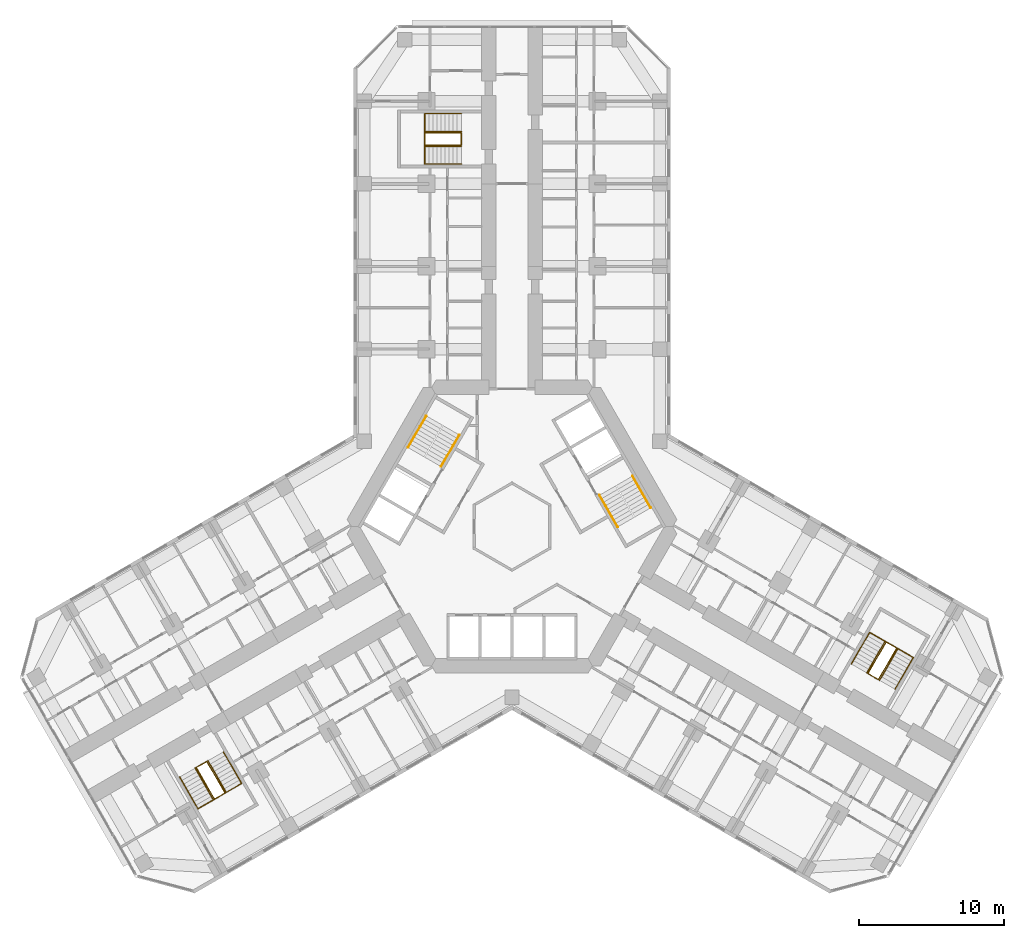
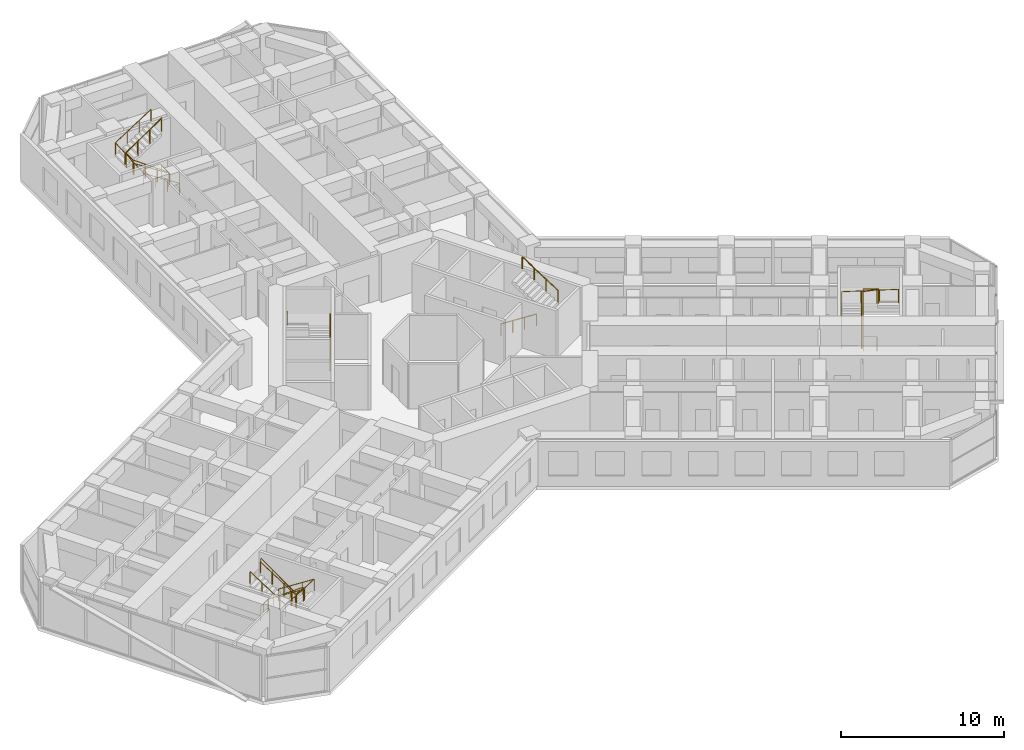
# One storey, part 21 of 21: 13 railings.
"""IFC4 building model written with IfcOpenShell, lengths in metres."""

from ifc_helpers import new_model, si_unit, direction, frame, origin, origin_2d, place, context, subcontext, project, spatial, circle, extrude, material, type_object, element, save


model = new_model("IFC4")

# Units and contexts
model_context = context("Model", 3, precision=1e-05, world=origin(), true_north=direction((0.0, 1.0)))
body_context = subcontext(model_context, "Body", "Model", "MODEL_VIEW")
ifc_project = project(units=[si_unit("LENGTHUNIT", "METRE"), si_unit("AREAUNIT", "SQUARE_METRE"), si_unit("VOLUMEUNIT", "CUBIC_METRE"), si_unit("PLANEANGLEUNIT", "RADIAN"), si_unit("MASSUNIT", "GRAM", prefix="KILO")], contexts=[model_context])

# Site, building, storey
site_placement = place(None, origin())
site = spatial("IfcSite", under=ifc_project, at=site_placement, CompositionType="ELEMENT")
building_placement = place(site_placement, origin())
building = spatial("IfcBuilding", under=site, at=building_placement, Name="Kosmar Iwan School Tower", CompositionType="ELEMENT")
storey_placement = place(building_placement, frame((0.0, 0.0, 50.199951171875)))
storey = spatial("IfcBuildingStorey", under=building, at=storey_placement, Name="L11", CompositionType="ELEMENT", Elevation=50.199951171875)

# Railings
ifc_material_1 = material(Name="Black steel", Category="steel")
railing_type_1 = type_object("IfcRailingType", Name="Stair handrail 900", PredefinedType="HANDRAIL", material=ifc_material_1)
railing_1_placement = place(storey_placement, frame((-4.89453125, 4.142333984375, 0.179931640625)))
element("IfcRailing", 1, at=railing_1_placement, inside=storey, type_object=railing_type_1, Name="Handrail ST2 flight 1", PredefinedType="HANDRAIL", context=body_context, shape_type="SweptSolid", body=[
    extrude(circle(Radius=0.02392578125, at=origin_2d()), frame((0.0, 0.0, 0.8759765625), z_axis=(0.420584145978, 0.728463801763, 0.540785970299), x_axis=(-0.866022637375, 0.500004791531, 0.0)), (0.0, 0.0, 1.0), 2.995849609375),
    extrude(circle(Radius=0.02099609375, at=origin_2d()), origin(), (0.0, 0.0, 1.0), 0.851806640625),
    extrude(circle(Radius=0.02099609375, at=origin_2d()), frame((0.419921875, 0.7275390625, 0.5400390625)), (0.0, 0.0, 1.0), 0.851806640625),
    extrude(circle(Radius=0.02099609375, at=origin_2d()), frame((0.840087890625, 1.454833984375, 1.080078125)), (0.0, 0.0, 1.0), 0.851806640625),
    extrude(circle(Radius=0.02099609375, at=origin_2d()), frame((1.260009765625, 2.182373046875, 1.6201171875)), (0.0, 0.0, 1.0), 0.851806640625),
])
railing_2_placement = place(storey_placement, frame((-5.912353515625, 7.6396484375, 1.97998046875)))
element("IfcRailing", 2, at=railing_2_placement, inside=storey, type_object=railing_type_1, Name="Handrail ST2 flight 2", PredefinedType="HANDRAIL", context=body_context, shape_type="SweptSolid", body=[
    extrude(circle(Radius=0.02392578125, at=origin_2d()), frame((0.0, 0.0, 0.8759765625), z_axis=(-0.420584145978, -0.728463801763, 0.540785970299), x_axis=(0.866022637375, -0.500004791531, 0.0)), (0.0, 0.0, 1.0), 2.995849609375),
    extrude(circle(Radius=0.02099609375, at=origin_2d()), origin(), (0.0, 0.0, 1.0), 0.851806640625),
    extrude(circle(Radius=0.02099609375, at=origin_2d()), frame((-0.419921875, -0.7275390625, 0.5400390625)), (0.0, 0.0, 1.0), 0.851806640625),
    extrude(circle(Radius=0.02099609375, at=origin_2d()), frame((-0.840087890625, -1.454833984375, 1.080078125)), (0.0, 0.0, 1.0), 0.851806640625),
    extrude(circle(Radius=0.02099609375, at=origin_2d()), frame((-1.260009765625, -2.182373046875, 1.6201171875)), (0.0, 0.0, 1.0), 0.851806640625),
])
railing_3_placement = place(storey_placement, frame((6.03466796875, 2.167724609375, 0.179931640625)))
element("IfcRailing", 3, at=railing_3_placement, inside=storey, type_object=railing_type_1, Name="Handrail ST1 flight 1", PredefinedType="HANDRAIL", context=body_context, shape_type="SweptSolid", body=[
    extrude(circle(Radius=0.02392578125, at=origin_2d()), frame((0.0, 0.0, 0.8759765625), z_axis=(0.420584145978, -0.728463801763, 0.540785970299), x_axis=(0.866022637375, 0.500004791531, 0.0)), (0.0, 0.0, 1.0), 2.995849609375),
    extrude(circle(Radius=0.02099609375, at=origin_2d()), origin(), (0.0, 0.0, 1.0), 0.851806640625),
    extrude(circle(Radius=0.02099609375, at=origin_2d()), frame((0.419921875, -0.7275390625, 0.5400390625)), (0.0, 0.0, 1.0), 0.851806640625),
    extrude(circle(Radius=0.02099609375, at=origin_2d()), frame((0.840087890625, -1.454833984375, 1.080078125)), (0.0, 0.0, 1.0), 0.851806640625),
    extrude(circle(Radius=0.02099609375, at=origin_2d()), frame((1.260009765625, -2.182373046875, 1.6201171875)), (0.0, 0.0, 1.0), 0.851806640625),
])
railing_4_placement = place(storey_placement, frame((9.572265625, 1.30029296875, 1.97998046875)))
element("IfcRailing", 4, at=railing_4_placement, inside=storey, type_object=railing_type_1, Name="Handrail ST1 flight 2", PredefinedType="HANDRAIL", context=body_context, shape_type="SweptSolid", body=[
    extrude(circle(Radius=0.02392578125, at=origin_2d()), frame((0.0, 0.0, 0.8759765625), z_axis=(-0.420584145978, 0.728463801763, 0.540785970299), x_axis=(-0.866022637375, -0.500004791531, 0.0)), (0.0, 0.0, 1.0), 2.995849609375),
    extrude(circle(Radius=0.02099609375, at=origin_2d()), origin(), (0.0, 0.0, 1.0), 0.851806640625),
    extrude(circle(Radius=0.02099609375, at=origin_2d()), frame((-0.419921875, 0.7275390625, 0.5400390625)), (0.0, 0.0, 1.0), 0.851806640625),
    extrude(circle(Radius=0.02099609375, at=origin_2d()), frame((-0.840087890625, 1.454833984375, 1.080078125)), (0.0, 0.0, 1.0), 0.851806640625),
    extrude(circle(Radius=0.02099609375, at=origin_2d()), frame((-1.260009765625, 2.182373046875, 1.6201171875)), (0.0, 0.0, 1.0), 0.851806640625),
])
railing_5_placement = place(storey_placement, frame((-3.5, 25.010009765625, 0.179931640625)))
element("IfcRailing", 5, at=railing_5_placement, inside=storey, type_object=railing_type_1, Name="Handrail stair WS1 L11 wall side", PredefinedType="HANDRAIL", context=body_context, shape_type="SweptSolid", body=[
    extrude(circle(Radius=0.02392578125, at=origin_2d()), frame((0.0, 0.0, 0.8759765625), z_axis=(-0.841162588446, 0.0, 0.540782303519), x_axis=(0.0, -1.0, 0.0)), (0.0, 0.0, 1.0), 2.995849609375),
    extrude(circle(Radius=0.02392578125, at=origin_2d()), frame((-2.52001953125, 0.0, 2.49609375), z_axis=(0.0, 0.998665981786, 0.051635809497), x_axis=(-1.0, 0.0, 0.0)), (0.0, 0.0, 1.0), 3.484619140625),
    extrude(circle(Radius=0.02392578125, at=origin_2d()), frame((-2.52001953125, 3.47998046875, 2.67578125), z_axis=(0.841162588446, 0.0, 0.540782303519), x_axis=(0.0, 1.0, 0.0)), (0.0, 0.0, 1.0), 2.995849609375),
    extrude(circle(Radius=0.02099609375, at=origin_2d()), origin(), (0.0, 0.0, 1.0), 0.851806640625),
    extrude(circle(Radius=0.02099609375, at=origin_2d()), frame((-0.840087890625, 0.0, 0.5400390625)), (0.0, 0.0, 1.0), 0.851806640625),
    extrude(circle(Radius=0.02099609375, at=origin_2d()), frame((-1.679931640625, 0.0, 1.080078125)), (0.0, 0.0, 1.0), 0.851806640625),
    extrude(circle(Radius=0.02099609375, at=origin_2d()), frame((-2.52001953125, 0.0, 1.6201171875)), (0.0, 0.0, 1.0), 0.851806640625),
    extrude(circle(Radius=0.02099609375, at=origin_2d()), frame((-2.52001953125, 1.159912109375, 1.68017578125)), (0.0, 0.0, 1.0), 0.851806640625),
    extrude(circle(Radius=0.02099609375, at=origin_2d()), frame((-2.52001953125, 2.320068359375, 1.739990234375)), (0.0, 0.0, 1.0), 0.851806640625),
    extrude(circle(Radius=0.02099609375, at=origin_2d()), frame((-2.52001953125, 3.47998046875, 1.800048828125)), (0.0, 0.0, 1.0), 0.851806640625),
    extrude(circle(Radius=0.02099609375, at=origin_2d()), frame((-1.679931640625, 3.47998046875, 2.340087890625)), (0.0, 0.0, 1.0), 0.851806640625),
    extrude(circle(Radius=0.02099609375, at=origin_2d()), frame((-0.840087890625, 3.47998046875, 2.880126953125)), (0.0, 0.0, 1.0), 0.851806640625),
    extrude(circle(Radius=0.02099609375, at=origin_2d()), frame((0.0, 3.47998046875, 3.420166015625)), (0.0, 0.0, 1.0), 0.851806640625),
])
railing_6_placement = place(storey_placement, frame((-3.5, 26.239990234375, 0.179931640625)))
element("IfcRailing", 6, at=railing_6_placement, inside=storey, type_object=railing_type_1, Name="Handrail stair WS1 L11 well side", PredefinedType="HANDRAIL", context=body_context, shape_type="SweptSolid", body=[
    extrude(circle(Radius=0.02392578125, at=origin_2d()), frame((0.0, 0.0, 0.8759765625), z_axis=(-0.841162588446, 0.0, 0.540782303519), x_axis=(0.0, -1.0, 0.0)), (0.0, 0.0, 1.0), 2.995849609375),
    extrude(circle(Radius=0.02392578125, at=origin_2d()), frame((-2.52001953125, 0.0, 2.49609375), z_axis=(0.0, 0.984795421109, 0.173718100851), x_axis=(-1.0, 0.0, 0.0)), (0.0, 0.0, 1.0), 1.035888671875),
    extrude(circle(Radius=0.02392578125, at=origin_2d()), frame((-2.52001953125, 1.02001953125, 2.67578125), z_axis=(0.841162588446, 0.0, 0.540782303519), x_axis=(0.0, 1.0, 0.0)), (0.0, 0.0, 1.0), 2.995849609375),
    extrude(circle(Radius=0.02099609375, at=origin_2d()), origin(), (0.0, 0.0, 1.0), 0.851806640625),
    extrude(circle(Radius=0.02099609375, at=origin_2d()), frame((-0.840087890625, 0.0, 0.5400390625)), (0.0, 0.0, 1.0), 0.851806640625),
    extrude(circle(Radius=0.02099609375, at=origin_2d()), frame((-1.679931640625, 0.0, 1.080078125)), (0.0, 0.0, 1.0), 0.851806640625),
    extrude(circle(Radius=0.02099609375, at=origin_2d()), frame((-2.52001953125, 0.0, 1.6201171875)), (0.0, 0.0, 1.0), 0.851806640625),
    extrude(circle(Radius=0.02099609375, at=origin_2d()), frame((-2.52001953125, 1.02001953125, 1.800048828125)), (0.0, 0.0, 1.0), 0.851806640625),
    extrude(circle(Radius=0.02099609375, at=origin_2d()), frame((-1.679931640625, 1.02001953125, 2.340087890625)), (0.0, 0.0, 1.0), 0.851806640625),
    extrude(circle(Radius=0.02099609375, at=origin_2d()), frame((-0.840087890625, 1.02001953125, 2.880126953125)), (0.0, 0.0, 1.0), 0.851806640625),
    extrude(circle(Radius=0.02099609375, at=origin_2d()), frame((0.0, 1.02001953125, 3.420166015625)), (0.0, 0.0, 1.0), 0.851806640625),
])
railing_7_placement = place(storey_placement, frame((-19.9091796875, -15.5361328125, 0.179931640625)))
element("IfcRailing", 7, at=railing_7_placement, inside=storey, type_object=railing_type_1, Name="Handrail stair WS2 L11 wall side", PredefinedType="HANDRAIL", context=body_context, shape_type="SweptSolid", body=[
    extrude(circle(Radius=0.02392578125, at=origin_2d()), frame((0.0, 0.0, 0.8759765625), z_axis=(0.420517065106, -0.728488768407, 0.540804504659), x_axis=(0.866064587494, 0.499932125682, 0.0)), (0.0, 0.0, 1.0), 2.995849609375),
    extrude(circle(Radius=0.02392578125, at=origin_2d()), frame((1.259765625, -2.182373046875, 2.49609375), z_axis=(-0.864864352349, -0.499342858003, 0.051636829851), x_axis=(0.500009906705, -0.86601968407, 0.0)), (0.0, 0.0, 1.0), 3.484619140625),
    extrude(circle(Radius=0.02392578125, at=origin_2d()), frame((-1.75390625, -3.92236328125, 2.67578125), z_axis=(-0.420584145978, 0.728463801763, 0.540785970299), x_axis=(-0.866022637375, -0.500004791531, 0.0)), (0.0, 0.0, 1.0), 2.995849609375),
    extrude(circle(Radius=0.02099609375, at=origin_2d()), origin(), (0.0, 0.0, 1.0), 0.851806640625),
    extrude(circle(Radius=0.02099609375, at=origin_2d()), frame((0.419921875, -0.7275390625, 0.5400390625)), (0.0, 0.0, 1.0), 0.851806640625),
    extrude(circle(Radius=0.02099609375, at=origin_2d()), frame((0.83984375, -1.454833984375, 1.080078125)), (0.0, 0.0, 1.0), 0.851806640625),
    extrude(circle(Radius=0.02099609375, at=origin_2d()), frame((1.259765625, -2.182373046875, 1.6201171875)), (0.0, 0.0, 1.0), 0.851806640625),
    extrude(circle(Radius=0.02099609375, at=origin_2d()), frame((0.255126953125, -2.762451171875, 1.68017578125)), (0.0, 0.0, 1.0), 0.851806640625),
    extrude(circle(Radius=0.02099609375, at=origin_2d()), frame((-0.749267578125, -3.34228515625, 1.739990234375)), (0.0, 0.0, 1.0), 0.851806640625),
    extrude(circle(Radius=0.02099609375, at=origin_2d()), frame((-1.75390625, -3.92236328125, 1.800048828125)), (0.0, 0.0, 1.0), 0.851806640625),
    extrude(circle(Radius=0.02099609375, at=origin_2d()), frame((-2.173828125, -3.19482421875, 2.340087890625)), (0.0, 0.0, 1.0), 0.851806640625),
    extrude(circle(Radius=0.02099609375, at=origin_2d()), frame((-2.593994140625, -2.467529296875, 2.880126953125)), (0.0, 0.0, 1.0), 0.851806640625),
    extrude(circle(Radius=0.02099609375, at=origin_2d()), frame((-3.013916015625, -1.739990234375, 3.420166015625)), (0.0, 0.0, 1.0), 0.851806640625),
])
railing_8_placement = place(storey_placement, frame((-20.974609375, -16.151123046875, 0.179931640625)))
element("IfcRailing", 8, at=railing_8_placement, inside=storey, type_object=railing_type_1, Name="Handrail stair WS2 L11 well side", PredefinedType="HANDRAIL", context=body_context, shape_type="SweptSolid", body=[
    extrude(circle(Radius=0.02392578125, at=origin_2d()), frame((0.0, 0.0, 0.8759765625), z_axis=(0.420584145978, -0.728463801763, 0.540785970299), x_axis=(0.866022637375, 0.500004791531, 0.0)), (0.0, 0.0, 1.0), 2.995849609375),
    extrude(circle(Radius=0.02392578125, at=origin_2d()), frame((1.260009765625, -2.182373046875, 2.49609375), z_axis=(-0.852841519511, -0.492422867401, 0.173726976197), x_axis=(0.500026340207, -0.866010195725, 0.0)), (0.0, 0.0, 1.0), 1.03564453125),
    extrude(circle(Radius=0.02392578125, at=origin_2d()), frame((0.376708984375, -2.6923828125, 2.67578125), z_axis=(-0.420584145978, 0.728463801763, 0.540785970299), x_axis=(-0.866022637375, -0.500004791531, 0.0)), (0.0, 0.0, 1.0), 2.995849609375),
    extrude(circle(Radius=0.02099609375, at=origin_2d()), origin(), (0.0, 0.0, 1.0), 0.851806640625),
    extrude(circle(Radius=0.02099609375, at=origin_2d()), frame((0.419921875, -0.7275390625, 0.5400390625)), (0.0, 0.0, 1.0), 0.851806640625),
    extrude(circle(Radius=0.02099609375, at=origin_2d()), frame((0.840087890625, -1.454833984375, 1.080078125)), (0.0, 0.0, 1.0), 0.851806640625),
    extrude(circle(Radius=0.02099609375, at=origin_2d()), frame((1.260009765625, -2.182373046875, 1.6201171875)), (0.0, 0.0, 1.0), 0.851806640625),
    extrude(circle(Radius=0.02099609375, at=origin_2d()), frame((0.376708984375, -2.6923828125, 1.800048828125)), (0.0, 0.0, 1.0), 0.851806640625),
    extrude(circle(Radius=0.02099609375, at=origin_2d()), frame((-0.043212890625, -1.96484375, 2.340087890625)), (0.0, 0.0, 1.0), 0.851806640625),
    extrude(circle(Radius=0.02099609375, at=origin_2d()), frame((-0.46337890625, -1.237548828125, 2.880126953125)), (0.0, 0.0, 1.0), 0.851806640625),
    extrude(circle(Radius=0.02099609375, at=origin_2d()), frame((-0.88330078125, -0.510009765625, 3.420166015625)), (0.0, 0.0, 1.0), 0.851806640625),
])
railing_9_placement = place(storey_placement, frame((23.4091796875, -9.473876953125, 0.179931640625)))
element("IfcRailing", 9, at=railing_9_placement, inside=storey, type_object=railing_type_1, Name="Handrail stair WS3 L11 wall side", PredefinedType="HANDRAIL", context=body_context, shape_type="SweptSolid", body=[
    extrude(circle(Radius=0.02392578125, at=origin_2d()), frame((0.0, 0.0, 0.8759765625), z_axis=(0.420584145978, 0.728463801763, 0.540785970299), x_axis=(-0.866022637375, 0.500004791531, 0.0)), (0.0, 0.0, 1.0), 2.995849609375),
    extrude(circle(Radius=0.02392578125, at=origin_2d()), frame((1.260009765625, 2.182373046875, 2.49609375), z_axis=(0.864882007433, -0.499312601618, 0.051633701051), x_axis=(0.499979528911, 0.866037222451, 0.0)), (0.0, 0.0, 1.0), 3.48486328125),
    extrude(circle(Radius=0.02392578125, at=origin_2d()), frame((4.27392578125, 0.4423828125, 2.67578125), z_axis=(-0.420584145978, -0.728463801763, 0.540785970299), x_axis=(0.866022637375, -0.500004791531, 0.0)), (0.0, 0.0, 1.0), 2.995849609375),
    extrude(circle(Radius=0.02099609375, at=origin_2d()), origin(), (0.0, 0.0, 1.0), 0.851806640625),
    extrude(circle(Radius=0.02099609375, at=origin_2d()), frame((0.419921875, 0.7275390625, 0.5400390625)), (0.0, 0.0, 1.0), 0.851806640625),
    extrude(circle(Radius=0.02099609375, at=origin_2d()), frame((0.840087890625, 1.454833984375, 1.080078125)), (0.0, 0.0, 1.0), 0.851806640625),
    extrude(circle(Radius=0.02099609375, at=origin_2d()), frame((1.260009765625, 2.182373046875, 1.6201171875)), (0.0, 0.0, 1.0), 0.851806640625),
    extrude(circle(Radius=0.02099609375, at=origin_2d()), frame((2.2646484375, 1.602294921875, 1.68017578125)), (0.0, 0.0, 1.0), 0.851806640625),
    extrude(circle(Radius=0.02099609375, at=origin_2d()), frame((3.269287109375, 1.0224609375, 1.739990234375)), (0.0, 0.0, 1.0), 0.851806640625),
    extrude(circle(Radius=0.02099609375, at=origin_2d()), frame((4.27392578125, 0.4423828125, 1.800048828125)), (0.0, 0.0, 1.0), 0.851806640625),
    extrude(circle(Radius=0.02099609375, at=origin_2d()), frame((3.85400390625, -0.28515625, 2.340087890625)), (0.0, 0.0, 1.0), 0.851806640625),
    extrude(circle(Radius=0.02099609375, at=origin_2d()), frame((3.433837890625, -1.012451171875, 2.880126953125)), (0.0, 0.0, 1.0), 0.851806640625),
    extrude(circle(Radius=0.02099609375, at=origin_2d()), frame((3.013916015625, -1.739990234375, 3.420166015625)), (0.0, 0.0, 1.0), 0.851806640625),
])
railing_10_placement = place(storey_placement, frame((24.474609375, -10.0888671875, 0.179931640625)))
element("IfcRailing", 10, at=railing_10_placement, inside=storey, type_object=railing_type_1, Name="Handrail stair WS3 L11 well side", PredefinedType="HANDRAIL", context=body_context, shape_type="SweptSolid", body=[
    extrude(circle(Radius=0.02392578125, at=origin_2d()), frame((0.0, 0.0, 0.8759765625), z_axis=(0.420584145978, 0.728463801763, 0.540785970299), x_axis=(-0.866022637375, 0.500004791531, 0.0)), (0.0, 0.0, 1.0), 2.995849609375),
    extrude(circle(Radius=0.02392578125, at=origin_2d()), frame((1.260009765625, 2.182373046875, 2.49609375), z_axis=(0.852841519511, -0.492422867401, 0.173726976197), x_axis=(0.500026340207, 0.866010195725, 0.0)), (0.0, 0.0, 1.0), 1.03564453125),
    extrude(circle(Radius=0.02392578125, at=origin_2d()), frame((2.143310546875, 1.67236328125, 2.67578125), z_axis=(-0.420584145978, -0.728463801763, 0.540785970299), x_axis=(0.866022637375, -0.500004791531, 0.0)), (0.0, 0.0, 1.0), 2.995849609375),
    extrude(circle(Radius=0.02099609375, at=origin_2d()), origin(), (0.0, 0.0, 1.0), 0.851806640625),
    extrude(circle(Radius=0.02099609375, at=origin_2d()), frame((0.419921875, 0.7275390625, 0.5400390625)), (0.0, 0.0, 1.0), 0.851806640625),
    extrude(circle(Radius=0.02099609375, at=origin_2d()), frame((0.840087890625, 1.454833984375, 1.080078125)), (0.0, 0.0, 1.0), 0.851806640625),
    extrude(circle(Radius=0.02099609375, at=origin_2d()), frame((1.260009765625, 2.182373046875, 1.6201171875)), (0.0, 0.0, 1.0), 0.851806640625),
    extrude(circle(Radius=0.02099609375, at=origin_2d()), frame((2.143310546875, 1.67236328125, 1.800048828125)), (0.0, 0.0, 1.0), 0.851806640625),
    extrude(circle(Radius=0.02099609375, at=origin_2d()), frame((1.723388671875, 0.94482421875, 2.340087890625)), (0.0, 0.0, 1.0), 0.851806640625),
    extrude(circle(Radius=0.02099609375, at=origin_2d()), frame((1.30322265625, 0.217529296875, 2.880126953125)), (0.0, 0.0, 1.0), 0.851806640625),
    extrude(circle(Radius=0.02099609375, at=origin_2d()), frame((0.88330078125, -0.510009765625, 3.420166015625)), (0.0, 0.0, 1.0), 0.851806640625),
])
ifc_material_2 = material(Name="Black steel", Category="steel")
railing_type_2 = type_object("IfcRailingType", Name="Stair well guard 1100", PredefinedType="GUARDRAIL", material=ifc_material_2)
railing_11_placement = place(storey_placement, frame((-3.5, 27.169921875, 0.0)))
element("IfcRailing", 11, at=railing_11_placement, inside=storey, type_object=railing_type_2, Name="Stair WS1 L11 well guard", PredefinedType="GUARDRAIL", context=body_context, shape_type="SweptSolid", body=[
    extrude(circle(Radius=0.02392578125, at=origin_2d()), frame((0.0, 0.0, 1.076171875), z_axis=(0.0, -1.0, 0.0), x_axis=(1.0, 0.0, 0.0)), (0.0, 0.0, 1.0), 0.83984375),
    extrude(circle(Radius=0.02392578125, at=origin_2d()), frame((0.0, -0.83984375, 1.076171875), z_axis=(-0.813728144527, 0.0, 0.581245650998), x_axis=(0.0, -1.0, 0.0)), (0.0, 0.0, 1.0), 3.096923828125),
    extrude(circle(Radius=0.02392578125, at=origin_2d()), frame((-2.52001953125, -0.83984375, 2.8759765625), z_axis=(0.0, 1.0, 0.0), x_axis=(-1.0, 0.0, 0.0)), (0.0, 0.0, 1.0), 0.83984375),
    extrude(circle(Radius=0.02392578125, at=origin_2d()), frame((-2.52001953125, 0.0, 2.8759765625), z_axis=(0.813728144527, 0.0, 0.581245650998), x_axis=(0.0, 1.0, 0.0)), (0.0, 0.0, 1.0), 3.096923828125),
    extrude(circle(Radius=0.02099609375, at=origin_2d()), origin(), (0.0, 0.0, 1.0), 1.052001953125),
    extrude(circle(Radius=0.02099609375, at=origin_2d()), frame((0.0, -0.83984375, 0.0)), (0.0, 0.0, 1.0), 1.052001953125),
    extrude(circle(Radius=0.02099609375, at=origin_2d()), frame((-0.840087890625, -0.83984375, 0.60009765625)), (0.0, 0.0, 1.0), 1.052001953125),
    extrude(circle(Radius=0.02099609375, at=origin_2d()), frame((-1.679931640625, -0.83984375, 1.199951171875)), (0.0, 0.0, 1.0), 1.052001953125),
    extrude(circle(Radius=0.02099609375, at=origin_2d()), frame((-2.52001953125, -0.83984375, 1.800048828125)), (0.0, 0.0, 1.0), 1.052001953125),
    extrude(circle(Radius=0.02099609375, at=origin_2d()), frame((-2.52001953125, 0.0, 1.800048828125)), (0.0, 0.0, 1.0), 1.052001953125),
    extrude(circle(Radius=0.02099609375, at=origin_2d()), frame((-1.679931640625, 0.0, 2.400146484375)), (0.0, 0.0, 1.0), 1.052001953125),
    extrude(circle(Radius=0.02099609375, at=origin_2d()), frame((-0.840087890625, 0.0, 3.0)), (0.0, 0.0, 1.0), 1.052001953125),
    extrude(circle(Radius=0.02099609375, at=origin_2d()), frame((0.0, 0.0, 3.60009765625)), (0.0, 0.0, 1.0), 1.052001953125),
])
railing_12_placement = place(storey_placement, frame((-21.780029296875, -16.6162109375, 0.0)))
element("IfcRailing", 12, at=railing_12_placement, inside=storey, type_object=railing_type_2, Name="Stair WS2 L11 well guard", PredefinedType="GUARDRAIL", context=body_context, shape_type="SweptSolid", body=[
    extrude(circle(Radius=0.02392578125, at=origin_2d()), frame((0.0, 0.0, 1.076171875), z_axis=(0.865962960534, 0.500108139288, 0.0), x_axis=(-0.500108139288, 0.865962960534, 0.0)), (0.0, 0.0, 1.0), 0.840087890625),
    extrude(circle(Radius=0.02392578125, at=origin_2d()), frame((0.7275390625, 0.420166015625, 1.076171875), z_axis=(0.40686665399, -0.704704712268, 0.58124933925), x_axis=(0.866022637375, 0.500004791531, 0.0)), (0.0, 0.0, 1.0), 3.096923828125),
    extrude(circle(Radius=0.02392578125, at=origin_2d()), frame((1.987548828125, -1.76220703125, 2.8759765625), z_axis=(-0.865962960534, -0.500108139288, 0.0), x_axis=(0.500108139288, -0.865962960534, 0.0)), (0.0, 0.0, 1.0), 0.840087890625),
    extrude(circle(Radius=0.02392578125, at=origin_2d()), frame((1.260009765625, -2.182373046875, 2.8759765625), z_axis=(-0.40686665399, 0.704704712268, 0.58124933925), x_axis=(-0.866022637375, -0.500004791531, 0.0)), (0.0, 0.0, 1.0), 3.096923828125),
    extrude(circle(Radius=0.02099609375, at=origin_2d()), origin(), (0.0, 0.0, 1.0), 1.052001953125),
    extrude(circle(Radius=0.02099609375, at=origin_2d()), frame((0.7275390625, 0.420166015625, 0.0)), (0.0, 0.0, 1.0), 1.052001953125),
    extrude(circle(Radius=0.02099609375, at=origin_2d()), frame((1.1474609375, -0.307373046875, 0.60009765625)), (0.0, 0.0, 1.0), 1.052001953125),
    extrude(circle(Radius=0.02099609375, at=origin_2d()), frame((1.567626953125, -1.03466796875, 1.199951171875)), (0.0, 0.0, 1.0), 1.052001953125),
    extrude(circle(Radius=0.02099609375, at=origin_2d()), frame((1.987548828125, -1.76220703125, 1.800048828125)), (0.0, 0.0, 1.0), 1.052001953125),
    extrude(circle(Radius=0.02099609375, at=origin_2d()), frame((1.260009765625, -2.182373046875, 1.800048828125)), (0.0, 0.0, 1.0), 1.052001953125),
    extrude(circle(Radius=0.02099609375, at=origin_2d()), frame((0.840087890625, -1.454833984375, 2.400146484375)), (0.0, 0.0, 1.0), 1.052001953125),
    extrude(circle(Radius=0.02099609375, at=origin_2d()), frame((0.419921875, -0.7275390625, 3.0)), (0.0, 0.0, 1.0), 1.052001953125),
    extrude(circle(Radius=0.02099609375, at=origin_2d()), frame((0.0, 0.0, 3.60009765625)), (0.0, 0.0, 1.0), 1.052001953125),
])
railing_13_placement = place(storey_placement, frame((25.280029296875, -10.553955078125, 0.0)))
element("IfcRailing", 13, at=railing_13_placement, inside=storey, type_object=railing_type_2, Name="Stair WS3 L11 well guard", PredefinedType="GUARDRAIL", context=body_context, shape_type="SweptSolid", body=[
    extrude(circle(Radius=0.02392578125, at=origin_2d()), frame((0.0, 0.0, 1.076171875), z_axis=(-0.865962960534, 0.500108139288, 0.0), x_axis=(-0.500108139288, -0.865962960534, 0.0)), (0.0, 0.0, 1.0), 0.840087890625),
    extrude(circle(Radius=0.02392578125, at=origin_2d()), frame((-0.7275390625, 0.420166015625, 1.076171875), z_axis=(0.40686665399, 0.704704712268, 0.58124933925), x_axis=(-0.866022637375, 0.500004791531, 0.0)), (0.0, 0.0, 1.0), 3.096923828125),
    extrude(circle(Radius=0.02392578125, at=origin_2d()), frame((0.532470703125, 2.6025390625, 2.8759765625), z_axis=(0.865890253765, -0.500234013672, 0.0), x_axis=(0.500234013672, 0.865890253765, 0.0)), (0.0, 0.0, 1.0), 0.83984375),
    extrude(circle(Radius=0.02392578125, at=origin_2d()), frame((1.259765625, 2.182373046875, 2.8759765625), z_axis=(-0.406800866334, -0.70472731476, 0.58126798207), x_axis=(0.866064587494, -0.499932125682, 0.0)), (0.0, 0.0, 1.0), 3.0966796875),
    extrude(circle(Radius=0.02099609375, at=origin_2d()), origin(), (0.0, 0.0, 1.0), 1.052001953125),
    extrude(circle(Radius=0.02099609375, at=origin_2d()), frame((-0.7275390625, 0.420166015625, 0.0)), (0.0, 0.0, 1.0), 1.052001953125),
    extrude(circle(Radius=0.02099609375, at=origin_2d()), frame((-0.3076171875, 1.147705078125, 0.60009765625)), (0.0, 0.0, 1.0), 1.052001953125),
    extrude(circle(Radius=0.02099609375, at=origin_2d()), frame((0.112548828125, 1.875, 1.199951171875)), (0.0, 0.0, 1.0), 1.052001953125),
    extrude(circle(Radius=0.02099609375, at=origin_2d()), frame((0.532470703125, 2.6025390625, 1.800048828125)), (0.0, 0.0, 1.0), 1.052001953125),
    extrude(circle(Radius=0.02099609375, at=origin_2d()), frame((1.259765625, 2.182373046875, 1.800048828125)), (0.0, 0.0, 1.0), 1.052001953125),
    extrude(circle(Radius=0.02099609375, at=origin_2d()), frame((0.83984375, 1.454833984375, 2.400146484375)), (0.0, 0.0, 1.0), 1.052001953125),
    extrude(circle(Radius=0.02099609375, at=origin_2d()), frame((0.419921875, 0.7275390625, 3.0)), (0.0, 0.0, 1.0), 1.052001953125),
    extrude(circle(Radius=0.02099609375, at=origin_2d()), frame((0.0, 0.0, 3.60009765625)), (0.0, 0.0, 1.0), 1.052001953125),
])

save(model, "model.ifc")
